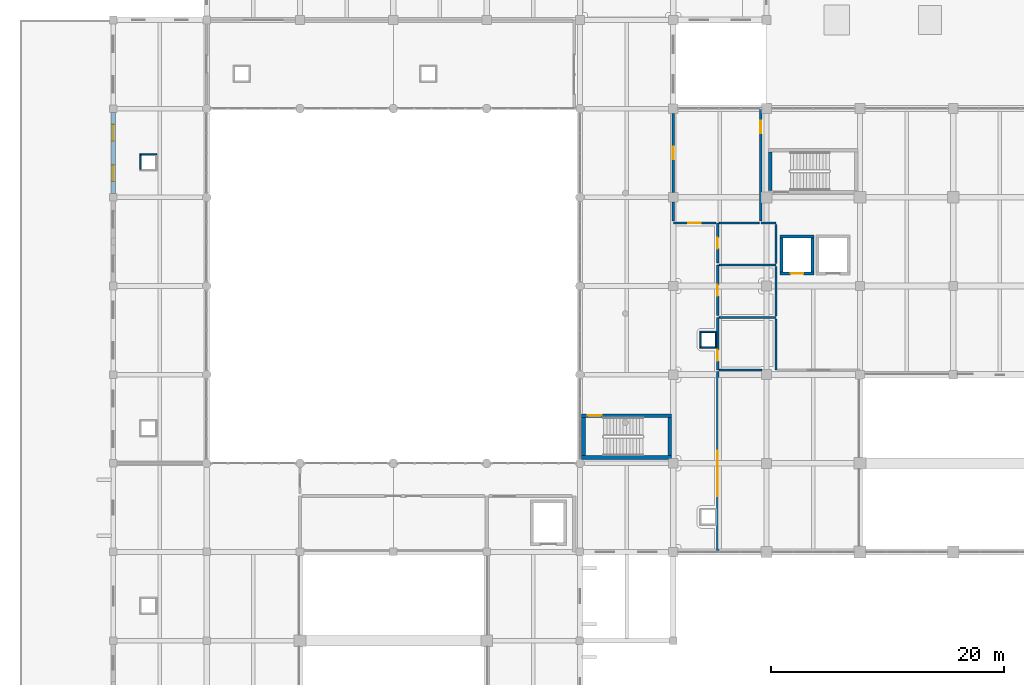
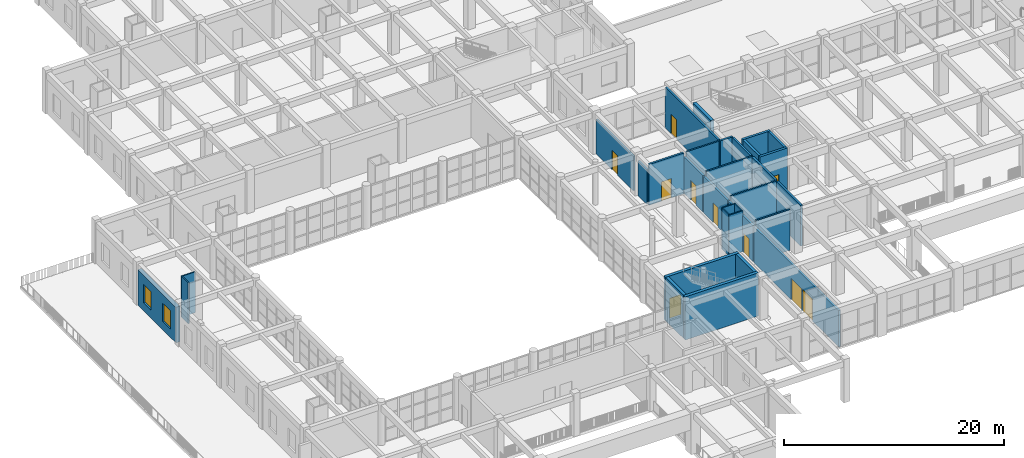
# One storey, part 73 of 101: 32 walls, 10 doors, 2 windows, 12 openings.
"""IFC4 building model written with IfcOpenShell, lengths in metres."""

from ifc_helpers import new_model, si_unit, direction, frame, frame_2d, origin, place, context, subcontext, project, spatial, rectangle, extrude, material, layer, layer_set, type_object, element, fill, save


model = new_model("IFC4")

# Units and contexts
model_context = context("Model", 3, precision=1e-05, world=origin(), true_north=direction((0.0, 1.0)))
body_context = subcontext(model_context, "Body", "Model", "MODEL_VIEW")
ifc_project = project(units=[si_unit("LENGTHUNIT", "METRE"), si_unit("AREAUNIT", "SQUARE_METRE"), si_unit("VOLUMEUNIT", "CUBIC_METRE"), si_unit("PLANEANGLEUNIT", "RADIAN"), si_unit("MASSUNIT", "GRAM", prefix="KILO")], contexts=[model_context])

# Site, building, storey
site_placement = place(None, origin())
site = spatial("IfcSite", under=ifc_project, at=site_placement, CompositionType="ELEMENT")
building_placement = place(site_placement, origin())
building = spatial("IfcBuilding", under=site, at=building_placement, Name="Zantavel Square City Hall", CompositionType="ELEMENT")
storey_placement = place(building_placement, frame((0.0, 0.0, 5.39990234375)))
storey = spatial("IfcBuildingStorey", under=building, at=storey_placement, Name="L02", CompositionType="ELEMENT", Elevation=5.39990234375)

# Wall, openings, windows
ifc_material_1 = material(Name="Cantera volcanic tuff stone", Category="masonry")
ifc_layer_1 = layer(ifc_material_1, 0.39990234375, Name="Cantera volcanic tuff stone")
ifc_layer_set_1 = layer_set([ifc_layer_1], Name="Cantera volcanic tuff stone")
wall_type_1 = type_object("IfcWallType", Name="Civic Pavilion Cantera Ashlar Wall 400mm", PredefinedType="STANDARD", material=ifc_layer_set_1)
wall_1_placement = place(storey_placement, frame((8.0, 61.125, 0.0), z_axis=(0.0, 0.0, 1.0), x_axis=(0.0, 1.0, 0.0)))
wall_1 = element("IfcWall", 1, at=wall_1_placement, inside=storey, type_object=wall_type_1, Name="L02 Exterior Wall EW-L02-096", PredefinedType="STANDARD", context=body_context, shape_type="SweptSolid", body=[
    extrude(rectangle(XDim=6.949951171875, YDim=0.39990234375, at=frame_2d((3.47509765625, 0.0))), origin(), (0.0, 0.0, 1.0), 3.940185546875),
])
opening_1_placement = place(wall_1_placement, frame((1.03759765625, 0.0, 0.89990234375)))
opening_1 = element("IfcOpeningElement", 2, at=opening_1_placement, cuts=wall_1, Name="Opening W-282", PredefinedType="OPENING", context=body_context, shape_type="SweptSolid", body=[
    extrude(rectangle(XDim=1.39990234375, YDim=2.050048828125, at=frame_2d((0.699951171875, 1.02490234375))), frame((0.0, 0.2099609375, 0.0), z_axis=(0.0, -1.0, 0.0), x_axis=(1.0, 0.0, 0.0)), (0.0, 0.0, 1.0), 0.419921875),
])
opening_2_placement = place(wall_1_placement, frame((4.512451171875, 0.0, 0.89990234375)))
opening_2 = element("IfcOpeningElement", 3, at=opening_2_placement, cuts=wall_1, Name="Opening W-283", PredefinedType="OPENING", context=body_context, shape_type="SweptSolid", body=[
    extrude(rectangle(XDim=1.39990234375, YDim=2.050048828125, at=frame_2d((0.699951171875, 1.02490234375))), frame((0.0, 0.2099609375, 0.0), z_axis=(0.0, -1.0, 0.0), x_axis=(1.0, 0.0, 0.0)), (0.0, 0.0, 1.0), 0.419921875),
])
ifc_material_2 = material(Name="Tempered safety glass low-E double glazing", Category="glass")
window_type = type_object("IfcWindowType", Name="Window Mezzanine Courtyard 1400x2050", PartitioningType="DOUBLE_PANEL_VERTICAL", PredefinedType="WINDOW", material=ifc_material_2)
window_1_placement = place(opening_1_placement, origin())
window_1 = element("IfcWindow", 4, at=window_1_placement, inside=storey, type_object=window_type, Name="L02 Window W-282", OverallHeight=2.050048828125, OverallWidth=1.39990234375, PartitioningType="DOUBLE_PANEL_VERTICAL", PredefinedType="WINDOW", context=body_context, shape_type="SweptSolid", body=[
    extrude(rectangle(XDim=1.39990234375, YDim=2.050048828125, at=frame_2d((0.699951171875, 1.02490234375))), frame((0.0, 0.030029296875, 0.0), z_axis=(0.0, -1.0, 0.0), x_axis=(1.0, 0.0, 0.0)), (0.0, 0.0, 1.0), 0.06005859375),
])
fill(opening_1, window_1)
window_2_placement = place(opening_2_placement, origin())
window_2 = element("IfcWindow", 5, at=window_2_placement, inside=storey, type_object=window_type, Name="L02 Window W-283", OverallHeight=2.050048828125, OverallWidth=1.39990234375, PartitioningType="DOUBLE_PANEL_VERTICAL", PredefinedType="WINDOW", context=body_context, shape_type="SweptSolid", body=[
    extrude(rectangle(XDim=1.39990234375, YDim=2.050048828125, at=frame_2d((0.699951171875, 1.02490234375))), frame((0.0, 0.030029296875, 0.0), z_axis=(0.0, -1.0, 0.0), x_axis=(1.0, 0.0, 0.0)), (0.0, 0.0, 1.0), 0.06005859375),
])
fill(opening_2, window_2)

# Walls
ifc_material_3 = material(Name="Concrete C40/50", Category="concrete")
ifc_layer_2 = layer(ifc_material_3, 0.320068359375, Name="Concrete C40/50")
ifc_layer_set_2 = layer_set([ifc_layer_2], Name="Concrete C40/50")
wall_type_2 = type_object("IfcWallType", Name="Core Shear Wall RC 320mm C40/50", PredefinedType="SHEAR", material=ifc_layer_set_2)
wall_2_placement = place(storey_placement, frame((55.85009765625, 38.489990234375, 0.0), z_axis=(0.0, 0.0, 1.0), x_axis=(-1.0, 0.0, 0.0)))
element("IfcWall", 6, at=wall_2_placement, inside=storey, type_object=wall_type_2, Name="L02 Exit Stair 3 West Pavilion Core Shear Wall South", PredefinedType="SHEAR", context=body_context, shape_type="SweptSolid", body=[
    extrude(rectangle(XDim=7.7001953125, YDim=0.320068359375, at=frame_2d((3.85009765625, 0.0))), origin(), (0.0, 0.0, 1.0), 4.800048828125),
])
wall_3_placement = place(storey_placement, frame((48.31005859375, 38.64990234375, 0.0), z_axis=(0.0, 0.0, 1.0), x_axis=(0.0, 1.0, 0.0)))
element("IfcWall", 7, at=wall_3_placement, inside=storey, type_object=wall_type_2, Name="L02 Exit Stair 3 West Pavilion Core Shear Wall West", PredefinedType="SHEAR", context=body_context, shape_type="SweptSolid", body=[
    extrude(rectangle(XDim=3.27001953125, YDim=0.320068359375, at=frame_2d((1.635009765625, 0.0))), origin(), (0.0, 0.0, 1.0), 4.800048828125),
])

# Wall, opening, door
wall_4_placement = place(storey_placement, frame((48.14990234375, 42.080078125, 0.0), z_axis=(0.0, 0.0, 1.0), x_axis=(1.0, 0.0, 0.0)))
wall_4 = element("IfcWall", 8, at=wall_4_placement, inside=storey, type_object=wall_type_2, Name="L02 Exit Stair 3 West Pavilion Core Shear Wall North", PredefinedType="SHEAR", context=body_context, shape_type="SweptSolid", body=[
    extrude(rectangle(XDim=7.7001953125, YDim=0.320068359375, at=frame_2d((3.85009765625, 0.0))), origin(), (0.0, 0.0, 1.0), 4.800048828125),
])
opening_3_placement = place(wall_4_placement, frame((0.5, 0.0, 0.0)))
opening_3 = element("IfcOpeningElement", 9, at=opening_3_placement, cuts=wall_4, Name="Opening SD-014", PredefinedType="OPENING", context=body_context, shape_type="SweptSolid", body=[
    extrude(rectangle(XDim=1.199951171875, YDim=2.199951171875, at=frame_2d((0.60009765625, 1.10009765625))), frame((0.0, 0.169921875, 0.0), z_axis=(0.0, -1.0, 0.0), x_axis=(1.0, 0.0, 0.0)), (0.0, 0.0, 1.0), 0.340087890625),
])
ifc_material_4 = material(Name="Steel ASTM A500 Grade B", Category="steel")
door_type_1 = type_object("IfcDoorType", Name="Enclosed Exit Stairwell Fire Door 1200x2200 FD90S", OperationType="NOTDEFINED", PredefinedType="DOOR", material=ifc_material_4)
door_1_placement = place(opening_3_placement, origin())
door_1 = element("IfcDoor", 10, at=door_1_placement, inside=storey, type_object=door_type_1, Name="L02 Exit Stair 3 West Pavilion Core Fire Door", OperationType="SINGLE_SWING_RIGHT", OverallHeight=2.199951171875, OverallWidth=1.199951171875, PredefinedType="DOOR", context=body_context, shape_type="SweptSolid", body=[
    extrude(rectangle(XDim=1.199951171875, YDim=2.199951171875, at=frame_2d((0.60009765625, 1.10009765625))), frame((0.0, 0.02490234375, 0.0), z_axis=(0.0, -1.0, 0.0), x_axis=(1.0, 0.0, 0.0)), (0.0, 0.0, 1.0), 0.050048828125),
])
fill(opening_3, door_1)

# Walls
for number, where, z_axis, x_axis, name in (
    (11, (55.68994140625, 41.919921875, 0.0), (0.0, 0.0, 1.0), (0.0, -1.0, 0.0), "L02 Exit Stair 3 West Pavilion Core Shear Wall East"),
    (12, (64.31005859375, 61.39990234375, 0.0), (0.0, 0.0, 1.0), (0.0, 1.0, 0.0), "L02 Exit Stair 5 Central West Core Shear Wall West"),
):
    element("IfcWall", number, at=place(storey_placement, frame(where, z_axis=z_axis, x_axis=x_axis)), inside=storey, type_object=wall_type_2, Name=name, PredefinedType="SHEAR", context=body_context, shape_type="SweptSolid", body=[
        extrude(rectangle(XDim=3.27001953125, YDim=0.320068359375, at=frame_2d((1.635009765625, 0.0))), origin(), (0.0, 0.0, 1.0), 4.800048828125),
    ])

# Wall, opening, door
ifc_layer_3 = layer(ifc_material_1, 0.199951171875, Name="Cantera volcanic tuff stone")
ifc_layer_set_3 = layer_set([ifc_layer_3], Name="Cantera volcanic tuff stone")
wall_type_3 = type_object("IfcWallType", Name="Exit Corridor Rated Wall 200mm", PredefinedType="STANDARD", material=ifc_layer_set_3)
wall_5_placement = place(storey_placement, frame((59.800048828125, 50.5, 0.0), z_axis=(0.0, 0.0, 1.0), x_axis=(0.0, -1.0, 0.0)))
wall_5 = element("IfcWall", 13, at=wall_5_placement, inside=storey, type_object=wall_type_3, Name="L02 Interior Wall IW-L02-0164", PredefinedType="STANDARD", context=body_context, shape_type="SweptSolid", body=[
    extrude(rectangle(XDim=4.5, YDim=0.199951171875, at=frame_2d((2.25, 0.0))), origin(), (0.0, 0.0, 1.0), 4.0400390625),
])
opening_4_placement = place(wall_5_placement, frame((2.77490234375, 0.0, 0.0)))
opening_4 = element("IfcOpeningElement", 14, at=opening_4_placement, cuts=wall_5, Name="Opening D-0076", PredefinedType="OPENING", context=body_context, shape_type="SweptSolid", body=[
    extrude(rectangle(XDim=0.949951171875, YDim=2.14990234375, at=frame_2d((0.47509765625, 1.074951171875))), frame((0.0, 0.10986328125, 0.0), z_axis=(0.0, -1.0, 0.0), x_axis=(1.0, 0.0, 0.0)), (0.0, 0.0, 1.0), 0.219970703125),
])
ifc_material_5 = material(Name="Solid oak hardwood", Category="wood")
door_type_2 = type_object("IfcDoorType", Name="Corridor Restroom Oak Fire Door 950x2150 FD60S", OperationType="NOTDEFINED", PredefinedType="DOOR", material=ifc_material_5)
door_2_placement = place(opening_4_placement, origin())
door_2 = element("IfcDoor", 15, at=door_2_placement, inside=storey, type_object=door_type_2, Name="L02 L02 Mens Restroom Door", OperationType="SINGLE_SWING_RIGHT", OverallHeight=2.14990234375, OverallWidth=0.949951171875, PredefinedType="DOOR", context=body_context, shape_type="SweptSolid", body=[
    extrude(rectangle(XDim=0.949951171875, YDim=2.14990234375, at=frame_2d((0.47509765625, 1.074951171875))), frame((0.0, 0.02490234375, 0.0), z_axis=(0.0, -1.0, 0.0), x_axis=(1.0, 0.0, 0.0)), (0.0, 0.0, 1.0), 0.050048828125),
])
fill(opening_4, door_2)

wall_6_placement = place(storey_placement, frame((59.800048828125, 55.0, 0.0), z_axis=(0.0, 0.0, 1.0), x_axis=(0.0, -1.0, 0.0)))
wall_6 = element("IfcWall", 16, at=wall_6_placement, inside=storey, type_object=wall_type_3, Name="L02 Interior Wall IW-L02-0165", PredefinedType="STANDARD", context=body_context, shape_type="SweptSolid", body=[
    extrude(rectangle(XDim=4.35009765625, YDim=0.199951171875, at=frame_2d((2.175048828125, 0.0))), origin(), (0.0, 0.0, 1.0), 4.0400390625),
])
opening_5_placement = place(wall_6_placement, frame((1.699951171875, 0.0, 0.0)))
opening_5 = element("IfcOpeningElement", 17, at=opening_5_placement, cuts=wall_6, Name="Opening D-0077", PredefinedType="OPENING", context=body_context, shape_type="SweptSolid", body=[
    extrude(rectangle(XDim=0.949951171875, YDim=2.14990234375, at=frame_2d((0.47509765625, 1.074951171875))), frame((0.0, 0.10986328125, 0.0), z_axis=(0.0, -1.0, 0.0), x_axis=(1.0, 0.0, 0.0)), (0.0, 0.0, 1.0), 0.219970703125),
])
door_3_placement = place(opening_5_placement, origin())
door_3 = element("IfcDoor", 18, at=door_3_placement, inside=storey, type_object=door_type_2, Name="L02 L02 Womens Restroom Door", OperationType="SINGLE_SWING_LEFT", OverallHeight=2.14990234375, OverallWidth=0.949951171875, PredefinedType="DOOR", context=body_context, shape_type="SweptSolid", body=[
    extrude(rectangle(XDim=0.949951171875, YDim=2.14990234375, at=frame_2d((0.47509765625, 1.074951171875))), frame((0.0, 0.02490234375, 0.0), z_axis=(0.0, -1.0, 0.0), x_axis=(1.0, 0.0, 0.0)), (0.0, 0.0, 1.0), 0.050048828125),
])
fill(opening_5, door_3)

wall_7_placement = place(storey_placement, frame((59.800048828125, 58.60009765625, 0.0), z_axis=(0.0, 0.0, 1.0), x_axis=(0.0, -1.0, 0.0)))
wall_7 = element("IfcWall", 19, at=wall_7_placement, inside=storey, type_object=wall_type_3, Name="L02 Interior Wall IW-L02-0166", PredefinedType="STANDARD", context=body_context, shape_type="SweptSolid", body=[
    extrude(rectangle(XDim=3.4501953125, YDim=0.199951171875, at=frame_2d((1.72509765625, 0.0))), origin(), (0.0, 0.0, 1.0), 4.0400390625),
])
opening_6_placement = place(wall_7_placement, frame((1.25, 0.0, 0.0)))
opening_6 = element("IfcOpeningElement", 20, at=opening_6_placement, cuts=wall_7, Name="Opening D-0078", PredefinedType="OPENING", context=body_context, shape_type="SweptSolid", body=[
    extrude(rectangle(XDim=0.949951171875, YDim=2.14990234375, at=frame_2d((0.47509765625, 1.074951171875))), frame((0.0, 0.10986328125, 0.0), z_axis=(0.0, -1.0, 0.0), x_axis=(1.0, 0.0, 0.0)), (0.0, 0.0, 1.0), 0.219970703125),
])
door_4_placement = place(opening_6_placement, origin())
door_4 = element("IfcDoor", 21, at=door_4_placement, inside=storey, type_object=door_type_2, Name="L02 L02 Accessible WC Door", OperationType="SINGLE_SWING_RIGHT", OverallHeight=2.14990234375, OverallWidth=0.949951171875, PredefinedType="DOOR", context=body_context, shape_type="SweptSolid", body=[
    extrude(rectangle(XDim=0.949951171875, YDim=2.14990234375, at=frame_2d((0.47509765625, 1.074951171875))), frame((0.0, 0.02490234375, 0.0), z_axis=(0.0, -1.0, 0.0), x_axis=(1.0, 0.0, 0.0)), (0.0, 0.0, 1.0), 0.050048828125),
])
fill(opening_6, door_4)

# Wall, openings, doors
wall_8_placement = place(storey_placement, frame((59.800048828125, 45.85009765625, 0.0), z_axis=(0.0, 0.0, 1.0), x_axis=(0.0, -1.0, 0.0)))
wall_8 = element("IfcWall", 22, at=wall_8_placement, inside=storey, type_object=wall_type_3, Name="L02 Interior Wall IW-L02-0167", PredefinedType="STANDARD", context=body_context, shape_type="SweptSolid", body=[
    extrude(rectangle(XDim=15.4501953125, YDim=0.199951171875, at=frame_2d((7.72509765625, 0.0))), origin(), (0.0, 0.0, 1.0), 4.0400390625),
])
opening_7_placement = place(wall_8_placement, frame((6.77490234375, 0.0, 0.0)))
opening_7 = element("IfcOpeningElement", 23, at=opening_7_placement, cuts=wall_8, Name="Opening D-0079", PredefinedType="OPENING", context=body_context, shape_type="SweptSolid", body=[
    extrude(rectangle(XDim=1.89990234375, YDim=2.39990234375, at=frame_2d((0.949951171875, 1.199951171875))), frame((0.0, 0.10986328125, 0.0), z_axis=(0.0, -1.0, 0.0), x_axis=(1.0, 0.0, 0.0)), (0.0, 0.0, 1.0), 0.219970703125),
])
opening_8_placement = place(wall_8_placement, frame((8.77490234375, 0.0, 0.0)))
opening_8 = element("IfcOpeningElement", 24, at=opening_8_placement, cuts=wall_8, Name="Opening D-0101", PredefinedType="OPENING", context=body_context, shape_type="SweptSolid", body=[
    extrude(rectangle(XDim=1.89990234375, YDim=2.39990234375, at=frame_2d((0.949951171875, 1.199951171875))), frame((0.0, 0.10986328125, 0.0), z_axis=(0.0, -1.0, 0.0), x_axis=(1.0, 0.0, 0.0)), (0.0, 0.0, 1.0), 0.219970703125),
])
door_type_3 = type_object("IfcDoorType", Name="Civic Hall Oak Fire Double Door 1900x2400 FD60S", OperationType="NOTDEFINED", PredefinedType="DOOR", material=ifc_material_5)
door_5_placement = place(opening_7_placement, origin())
door_5 = element("IfcDoor", 25, at=door_5_placement, inside=storey, type_object=door_type_3, Name="L02 Press Briefing Room Door", OperationType="DOUBLE_DOOR_SINGLE_SWING", OverallHeight=2.39990234375, OverallWidth=1.89990234375, PredefinedType="DOOR", context=body_context, shape_type="SweptSolid", body=[
    extrude(rectangle(XDim=1.89990234375, YDim=2.39990234375, at=frame_2d((0.949951171875, 1.199951171875))), frame((0.0, 0.02490234375, 0.0), z_axis=(0.0, -1.0, 0.0), x_axis=(1.0, 0.0, 0.0)), (0.0, 0.0, 1.0), 0.050048828125),
])
fill(opening_7, door_5)
door_6_placement = place(opening_8_placement, origin())
door_6 = element("IfcDoor", 26, at=door_6_placement, inside=storey, type_object=door_type_3, Name="L02 Press Briefing Room Door", OperationType="DOUBLE_DOOR_SINGLE_SWING", OverallHeight=2.39990234375, OverallWidth=1.89990234375, PredefinedType="DOOR", context=body_context, shape_type="SweptSolid", body=[
    extrude(rectangle(XDim=1.89990234375, YDim=2.39990234375, at=frame_2d((0.949951171875, 1.199951171875))), frame((0.0, 0.02490234375, 0.0), z_axis=(0.0, -1.0, 0.0), x_axis=(1.0, 0.0, 0.0)), (0.0, 0.0, 1.0), 0.050048828125),
])
fill(opening_8, door_6)

# Wall, opening, door
wall_9_placement = place(storey_placement, frame((56.0, 58.60009765625, 0.0), z_axis=(0.0, 0.0, 1.0), x_axis=(1.0, 0.0, 0.0)))
wall_9 = element("IfcWall", 27, at=wall_9_placement, inside=storey, type_object=wall_type_3, Name="L02 Interior Wall IW-L02-0168", PredefinedType="STANDARD", context=body_context, shape_type="SweptSolid", body=[
    extrude(rectangle(XDim=3.64990234375, YDim=0.199951171875, at=frame_2d((1.824951171875, 0.0))), origin(), (0.0, 0.0, 1.0), 4.5400390625),
])
opening_9_placement = place(wall_9_placement, frame((1.300048828125, 0.0, 0.0)))
opening_9 = element("IfcOpeningElement", 28, at=opening_9_placement, cuts=wall_9, Name="Opening D-0080", PredefinedType="OPENING", context=body_context, shape_type="SweptSolid", body=[
    extrude(rectangle(XDim=1.050048828125, YDim=2.14990234375, at=frame_2d((0.52490234375, 1.074951171875))), frame((0.0, 0.10986328125, 0.0), z_axis=(0.0, -1.0, 0.0), x_axis=(1.0, 0.0, 0.0)), (0.0, 0.0, 1.0), 0.219970703125),
])
door_type_4 = type_object("IfcDoorType", Name="Corridor Office Oak Fire Door 1050x2150 FD60S", OperationType="NOTDEFINED", PredefinedType="DOOR", material=ifc_material_5)
door_7_placement = place(opening_9_placement, origin())
door_7 = element("IfcDoor", 29, at=door_7_placement, inside=storey, type_object=door_type_4, Name="L02 L02 Municipal Support Office 1 Door", OperationType="SINGLE_SWING_RIGHT", OverallHeight=2.14990234375, OverallWidth=1.050048828125, PredefinedType="DOOR", context=body_context, shape_type="SweptSolid", body=[
    extrude(rectangle(XDim=1.050048828125, YDim=2.14990234375, at=frame_2d((0.52490234375, 1.074951171875))), frame((0.0, 0.02490234375, 0.0), z_axis=(0.0, -1.0, 0.0), x_axis=(1.0, 0.0, 0.0)), (0.0, 0.0, 1.0), 0.050048828125),
])
fill(opening_9, door_7)

# Walls
wall_10_placement = place(storey_placement, frame((64.800048828125, 50.3701171875, 0.0), z_axis=(0.0, 0.0, 1.0), x_axis=(0.0, -1.0, 0.0)))
element("IfcWall", 30, at=wall_10_placement, inside=storey, type_object=wall_type_3, Name="L02 Interior Wall IW-L02-0171", PredefinedType="STANDARD", context=body_context, shape_type="SweptSolid", body=[
    extrude(rectangle(XDim=4.3701171875, YDim=0.199951171875, at=frame_2d((2.18505859375, 0.0))), origin(), (0.0, 0.0, 1.0), 4.5400390625),
])
wall_11_placement = place(storey_placement, frame((64.800048828125, 54.8701171875, 0.0), z_axis=(0.0, 0.0, 1.0), x_axis=(0.0, -1.0, 0.0)))
element("IfcWall", 31, at=wall_11_placement, inside=storey, type_object=wall_type_3, Name="L02 Interior Wall IW-L02-0173", PredefinedType="STANDARD", context=body_context, shape_type="SweptSolid", body=[
    extrude(rectangle(XDim=4.240234375, YDim=0.199951171875, at=frame_2d((2.1201171875, 0.0))), origin(), (0.0, 0.0, 1.0), 4.5400390625),
])
wall_12_placement = place(storey_placement, frame((63.5, 58.60009765625, 0.0), z_axis=(0.0, 0.0, 1.0), x_axis=(1.0, 0.0, 0.0)))
element("IfcWall", 32, at=wall_12_placement, inside=storey, type_object=wall_type_3, Name="L02 Interior Wall IW-L02-0174", PredefinedType="STANDARD", context=body_context, shape_type="SweptSolid", body=[
    extrude(rectangle(XDim=1.300048828125, YDim=0.199951171875, at=frame_2d((0.64990234375, 0.0))), origin(), (0.0, 0.0, 1.0), 4.5400390625),
])
wall_13_placement = place(storey_placement, frame((64.800048828125, 58.449951171875, 0.0), z_axis=(0.0, 0.0, 1.0), x_axis=(0.0, -1.0, 0.0)))
element("IfcWall", 33, at=wall_13_placement, inside=storey, type_object=wall_type_3, Name="L02 Interior Wall IW-L02-0175", PredefinedType="STANDARD", context=body_context, shape_type="SweptSolid", body=[
    extrude(rectangle(XDim=3.320068359375, YDim=0.199951171875, at=frame_2d((1.66015625, 0.0))), origin(), (0.0, 0.0, 1.0), 4.5400390625),
])

# Wall, opening, door
wall_14_placement = place(storey_placement, frame((56.0, 67.989990234375, 0.0), z_axis=(0.0, 0.0, 1.0), x_axis=(0.0, -1.0, 0.0)))
wall_14 = element("IfcWall", 34, at=wall_14_placement, inside=storey, type_object=wall_type_3, Name="L02 Interior Wall IW-L02-0229", PredefinedType="STANDARD", context=body_context, shape_type="SweptSolid", body=[
    extrude(rectangle(XDim=6.780029296875, YDim=0.199951171875, at=frame_2d((3.39013671875, 0.0))), origin(), (0.0, 0.0, 1.0), 3.840087890625),
])
opening_10_placement = place(wall_14_placement, frame((2.864990234375, 0.0, 0.0)))
opening_10 = element("IfcOpeningElement", 35, at=opening_10_placement, cuts=wall_14, Name="Opening D-0099", PredefinedType="OPENING", context=body_context, shape_type="SweptSolid", body=[
    extrude(rectangle(XDim=1.050048828125, YDim=2.14990234375, at=frame_2d((0.52490234375, 1.074951171875))), frame((0.0, 0.10986328125, 0.0), z_axis=(0.0, -1.0, 0.0), x_axis=(1.0, 0.0, 0.0)), (0.0, 0.0, 1.0), 0.219970703125),
])
door_8_placement = place(opening_10_placement, origin())
door_8 = element("IfcDoor", 36, at=door_8_placement, inside=storey, type_object=door_type_4, Name="L02 L02 Municipal Support Office 1 Door", OperationType="SINGLE_SWING_LEFT", OverallHeight=2.14990234375, OverallWidth=1.050048828125, PredefinedType="DOOR", context=body_context, shape_type="SweptSolid", body=[
    extrude(rectangle(XDim=1.050048828125, YDim=2.14990234375, at=frame_2d((0.52490234375, 1.074951171875))), frame((0.0, 0.02490234375, 0.0), z_axis=(0.0, -1.0, 0.0), x_axis=(1.0, 0.0, 0.0)), (0.0, 0.0, 1.0), 0.050048828125),
])
fill(opening_10, door_8)

# Wall
wall_15_placement = place(storey_placement, frame((56.0, 60.389892578125, 0.0), z_axis=(0.0, 0.0, 1.0), x_axis=(0.0, -1.0, 0.0)))
element("IfcWall", 37, at=wall_15_placement, inside=storey, type_object=wall_type_3, Name="L02 Interior Wall IW-L02-0230", PredefinedType="STANDARD", context=body_context, shape_type="SweptSolid", body=[
    extrude(rectangle(XDim=1.639892578125, YDim=0.199951171875, at=frame_2d((0.81982421875, 0.0))), origin(), (0.0, 0.0, 1.0), 3.840087890625),
])

# Wall, opening, door
wall_16_placement = place(storey_placement, frame((63.5, 58.75, 0.0), z_axis=(0.0, 0.0, 1.0), x_axis=(0.0, 1.0, 0.0)))
wall_16 = element("IfcWall", 38, at=wall_16_placement, inside=storey, type_object=wall_type_3, Name="L02 Interior Wall IW-L02-0231", PredefinedType="STANDARD", context=body_context, shape_type="SweptSolid", body=[
    extrude(rectangle(XDim=9.64990234375, YDim=0.199951171875, at=frame_2d((4.824951171875, 0.0))), origin(), (0.0, 0.0, 1.0), 4.5400390625),
])
opening_11_placement = place(wall_16_placement, frame((7.550048828125, 0.0, 0.0)))
opening_11 = element("IfcOpeningElement", 39, at=opening_11_placement, cuts=wall_16, Name="Opening D-0100", PredefinedType="OPENING", context=body_context, shape_type="SweptSolid", body=[
    extrude(rectangle(XDim=1.050048828125, YDim=2.14990234375, at=frame_2d((0.52490234375, 1.074951171875))), frame((0.0, 0.10986328125, 0.0), z_axis=(0.0, -1.0, 0.0), x_axis=(1.0, 0.0, 0.0)), (0.0, 0.0, 1.0), 0.219970703125),
])
door_9_placement = place(opening_11_placement, origin())
door_9 = element("IfcDoor", 40, at=door_9_placement, inside=storey, type_object=door_type_4, Name="L02 L02 Municipal Support Office 1 Door", OperationType="SINGLE_SWING_RIGHT", OverallHeight=2.14990234375, OverallWidth=1.050048828125, PredefinedType="DOOR", context=body_context, shape_type="SweptSolid", body=[
    extrude(rectangle(XDim=1.050048828125, YDim=2.14990234375, at=frame_2d((0.52490234375, 1.074951171875))), frame((0.0, 0.02490234375, 0.0), z_axis=(0.0, -1.0, 0.0), x_axis=(1.0, 0.0, 0.0)), (0.0, 0.0, 1.0), 0.050048828125),
])
fill(opening_11, door_9)

ifc_layer_4 = layer(ifc_material_3, 0.25, Name="Concrete C40/50")
ifc_layer_set_4 = layer_set([ifc_layer_4], Name="Concrete C40/50")
wall_type_4 = type_object("IfcWallType", Name="Lift Shaft Wall RC 250mm C40/50", PredefinedType="SHEAR", material=ifc_layer_set_4)
wall_17_placement = place(storey_placement, frame((68.050048828125, 54.27490234375, 0.0), z_axis=(0.0, 0.0, 1.0), x_axis=(-1.0, 0.0, 0.0)))
wall_17 = element("IfcWall", 41, at=wall_17_placement, inside=storey, type_object=wall_type_4, Name="L02 Lift LF01 Shaft Wall South", PredefinedType="SHEAR", context=body_context, shape_type="SweptSolid", body=[
    extrude(rectangle(XDim=2.900146484375, YDim=0.25, at=frame_2d((1.4501953125, 0.0))), origin(), (0.0, 0.0, 1.0), 4.800048828125),
])
opening_12_placement = place(wall_17_placement, frame((0.89990234375, 0.0, 0.0)))
opening_12 = element("IfcOpeningElement", 42, at=opening_12_placement, cuts=wall_17, Name="Opening LD-LF01-L02", PredefinedType="OPENING", context=body_context, shape_type="SweptSolid", body=[
    extrude(rectangle(XDim=1.10009765625, YDim=2.14990234375, at=frame_2d((0.550048828125, 1.074951171875))), frame((0.0, 0.135009765625, 0.0), z_axis=(0.0, -1.0, 0.0), x_axis=(1.0, 0.0, 0.0)), (0.0, 0.0, 1.0), 0.27001953125),
])
ifc_material_6 = material(Name="Stainless steel 316", Category="steel")
door_type_5 = type_object("IfcDoorType", Name="Lift Landing Sliding Door 1100x2150 FD90S", OperationType="NOTDEFINED", PredefinedType="DOOR", material=ifc_material_6)
door_10_placement = place(opening_12_placement, origin())
door_10 = element("IfcDoor", 43, at=door_10_placement, inside=storey, type_object=door_type_5, Name="L02 Lift LF01 Sliding Landing Door", OperationType="DOUBLE_DOOR_SLIDING", OverallHeight=2.14990234375, OverallWidth=1.10009765625, PredefinedType="DOOR", context=body_context, shape_type="SweptSolid", body=[
    extrude(rectangle(XDim=1.10009765625, YDim=2.14990234375, at=frame_2d((0.550048828125, 1.074951171875))), frame((0.0, 0.02490234375, 0.0), z_axis=(0.0, -1.0, 0.0), x_axis=(1.0, 0.0, 0.0)), (0.0, 0.0, 1.0), 0.050048828125),
])
fill(opening_12, door_10)

# Walls
for number, where, z_axis, x_axis, name in (
    (44, (65.27490234375, 54.39990234375, 0.0), (0.0, 0.0, 1.0), (0.0, 1.0, 0.0), "L02 Lift LF01 Shaft Wall West"),
    (45, (65.14990234375, 57.425048828125, 0.0), (0.0, 0.0, 1.0), (1.0, 0.0, 0.0), "L02 Lift LF01 Shaft Wall North"),
    (46, (67.925048828125, 57.300048828125, 0.0), (0.0, 0.0, 1.0), (0.0, -1.0, 0.0), "L02 Lift LF01 Shaft Wall East"),
):
    element("IfcWall", number, at=place(storey_placement, frame(where, z_axis=z_axis, x_axis=x_axis)), inside=storey, type_object=wall_type_4, Name=name, PredefinedType="SHEAR", context=body_context, shape_type="SweptSolid", body=[
        extrude(rectangle(XDim=2.900146484375, YDim=0.25, at=frame_2d((1.4501953125, 0.0))), origin(), (0.0, 0.0, 1.0), 4.800048828125),
    ])
ifc_layer_5 = layer(ifc_material_1, 0.159912109375, Name="Cantera volcanic tuff stone")
ifc_layer_set_5 = layer_set([ifc_layer_5], Name="Cantera volcanic tuff stone")
wall_type_5 = type_object("IfcWallType", Name="Restroom Wet-Wall Partition 160mm", PredefinedType="PARTITIONING", material=ifc_layer_set_5)
wall_18_placement = place(storey_placement, frame((59.949951171875, 50.5, 0.0), z_axis=(0.0, 0.0, 1.0), x_axis=(1.0, 0.0, 0.0)))
element("IfcWall", 47, at=wall_18_placement, inside=storey, type_object=wall_type_5, Name="L02 Interior Wall IW-L02-0169", PredefinedType="PARTITIONING", context=body_context, shape_type="SweptSolid", body=[
    extrude(rectangle(XDim=4.85009765625, YDim=0.159912109375, at=frame_2d((2.425048828125, 0.0))), origin(), (0.0, 0.0, 1.0), 4.5400390625),
])
wall_19_placement = place(storey_placement, frame((63.56494140625, 46.0, 0.0), z_axis=(0.0, 0.0, 1.0), x_axis=(-1.0, 0.0, 0.0)))
element("IfcWall", 48, at=wall_19_placement, inside=storey, type_object=wall_type_5, Name="L02 Interior Wall IW-L02-0170", PredefinedType="PARTITIONING", context=body_context, shape_type="SweptSolid", body=[
    extrude(rectangle(XDim=3.614990234375, YDim=0.159912109375, at=frame_2d((1.8076171875, 0.0))), origin(), (0.0, 0.0, 1.0), 4.5400390625),
])
wall_20_placement = place(storey_placement, frame((59.949951171875, 55.0, 0.0), z_axis=(0.0, 0.0, 1.0), x_axis=(1.0, 0.0, 0.0)))
element("IfcWall", 49, at=wall_20_placement, inside=storey, type_object=wall_type_5, Name="L02 Interior Wall IW-L02-0172", PredefinedType="PARTITIONING", context=body_context, shape_type="SweptSolid", body=[
    extrude(rectangle(XDim=4.85009765625, YDim=0.159912109375, at=frame_2d((2.425048828125, 0.0))), origin(), (0.0, 0.0, 1.0), 4.5400390625),
])
wall_21_placement = place(storey_placement, frame((59.949951171875, 58.60009765625, 0.0), z_axis=(0.0, 0.0, 1.0), x_axis=(1.0, 0.0, 0.0)))
element("IfcWall", 50, at=wall_21_placement, inside=storey, type_object=wall_type_5, Name="L02 Interior Wall IW-L02-0176", PredefinedType="PARTITIONING", context=body_context, shape_type="SweptSolid", body=[
    extrude(rectangle(XDim=3.400146484375, YDim=0.159912109375, at=frame_2d((1.7001953125, 0.0))), origin(), (0.0, 0.0, 1.0), 4.5400390625),
])
ifc_material_7 = material(Name="Concrete C35/45", Category="concrete")
ifc_layer_6 = layer(ifc_material_7, 0.1201171875, Name="Concrete C35/45")
ifc_layer_set_6 = layer_set([ifc_layer_6], Name="Concrete C35/45")
wall_type_6 = type_object("IfcWallType", Name="Riser Chase Wall RC 120mm C35/45", PredefinedType="PARTITIONING", material=ifc_layer_set_6)
wall_22_placement = place(storey_placement, frame((59.719970703125, 47.93994140625, 0.0), z_axis=(0.0, 0.0, 1.0), x_axis=(-1.0, 0.0, 0.0)))
element("IfcWall", 51, at=wall_22_placement, inside=storey, type_object=wall_type_6, Name="L02 MEP Riser 03 Wall S", PredefinedType="PARTITIONING", context=body_context, shape_type="SweptSolid", body=[
    extrude(rectangle(XDim=1.43994140625, YDim=0.1201171875, at=frame_2d((0.719970703125, 0.0))), origin(), (0.0, 0.0, 1.0), 4.5400390625),
])
wall_23_placement = place(storey_placement, frame((58.340087890625, 48.0, 0.0), z_axis=(0.0, 0.0, 1.0), x_axis=(0.0, 1.0, 0.0)))
element("IfcWall", 52, at=wall_23_placement, inside=storey, type_object=wall_type_6, Name="L02 MEP Riser 03 Wall W", PredefinedType="PARTITIONING", context=body_context, shape_type="SweptSolid", body=[
    extrude(rectangle(XDim=1.199951171875, YDim=0.1201171875, at=frame_2d((0.60009765625, 0.0))), origin(), (0.0, 0.0, 1.0), 4.5400390625),
])
wall_24_placement = place(storey_placement, frame((58.280029296875, 49.260009765625, 0.0), z_axis=(0.0, 0.0, 1.0), x_axis=(1.0, 0.0, 0.0)))
element("IfcWall", 53, at=wall_24_placement, inside=storey, type_object=wall_type_6, Name="L02 MEP Riser 03 Wall N", PredefinedType="PARTITIONING", context=body_context, shape_type="SweptSolid", body=[
    extrude(rectangle(XDim=1.43994140625, YDim=0.1201171875, at=frame_2d((0.719970703125, 0.0))), origin(), (0.0, 0.0, 1.0), 4.5400390625),
])
for number, where, z_axis, x_axis, name in (
    (54, (59.659912109375, 49.199951171875, 0.0), (0.0, 0.0, 1.0), (0.0, -1.0, 0.0), "L02 MEP Riser 03 Wall E"),
    (55, (10.340087890625, 63.199951171875, 0.0), (0.0, 0.0, 1.0), (0.0, 1.0, 0.0), "L02 MEP Riser 15 Wall W"),
):
    element("IfcWall", number, at=place(storey_placement, frame(where, z_axis=z_axis, x_axis=x_axis)), inside=storey, type_object=wall_type_6, Name=name, PredefinedType="PARTITIONING", context=body_context, shape_type="SweptSolid", body=[
        extrude(rectangle(XDim=1.199951171875, YDim=0.1201171875, at=frame_2d((0.60009765625, 0.0))), origin(), (0.0, 0.0, 1.0), 4.5400390625),
    ])
wall_25_placement = place(storey_placement, frame((10.280029296875, 64.4599609375, 0.0), z_axis=(0.0, 0.0, 1.0), x_axis=(1.0, 0.0, 0.0)))
element("IfcWall", 56, at=wall_25_placement, inside=storey, type_object=wall_type_6, Name="L02 MEP Riser 15 Wall N", PredefinedType="PARTITIONING", context=body_context, shape_type="SweptSolid", body=[
    extrude(rectangle(XDim=1.43994140625, YDim=0.1201171875, at=frame_2d((0.719970703125, 0.0))), origin(), (0.0, 0.0, 1.0), 4.5400390625),
])

save(model, "model.ifc")
